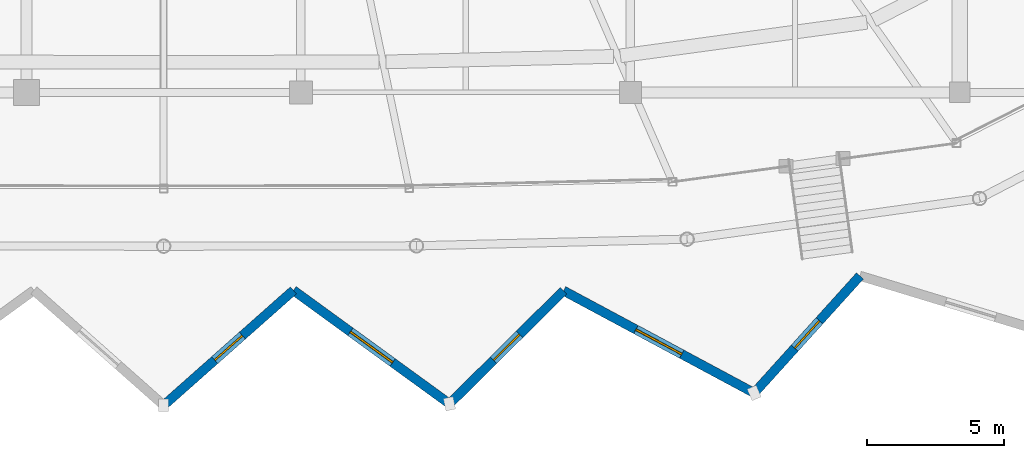
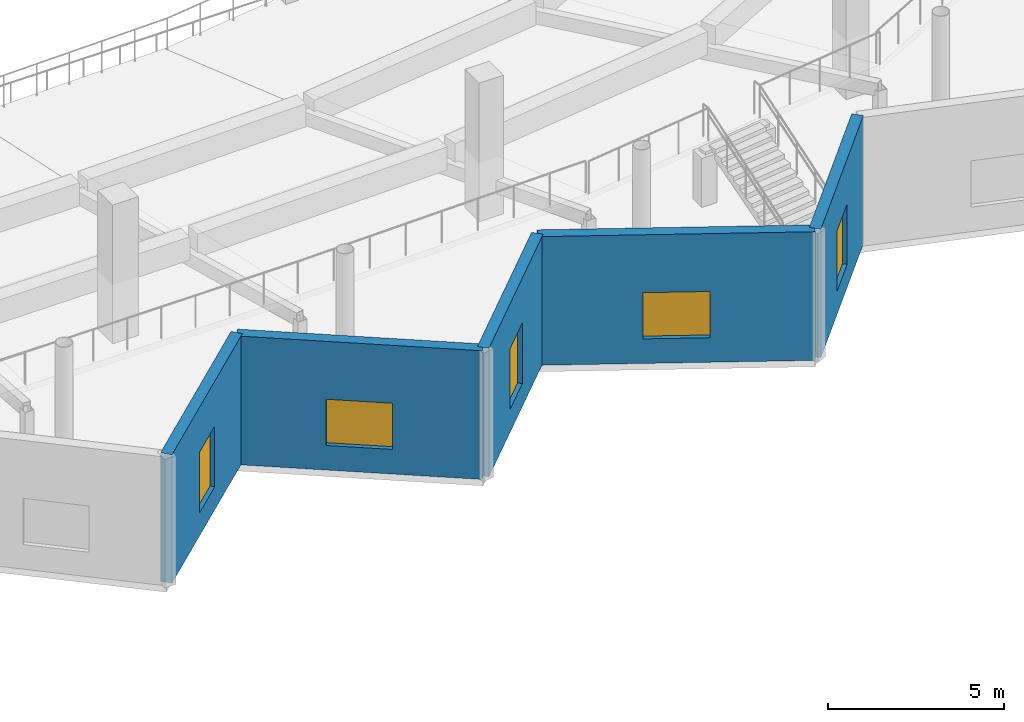
# One storey, part 53 of 77: 5 walls, 5 windows, 5 openings.
"""IFC4 building model written with IfcOpenShell, lengths in metres."""

from ifc_helpers import new_model, si_unit, direction, frame, frame_2d, origin, place, context, subcontext, project, spatial, rectangle, extrude, material, layer, layer_set, type_object, element, fill, save


model = new_model("IFC4")

# Units and contexts
model_context = context("Model", 3, precision=1e-05, world=origin(), true_north=direction((0.0, 1.0)))
body_context = subcontext(model_context, "Body", "Model", "MODEL_VIEW")
ifc_project = project(units=[si_unit("LENGTHUNIT", "METRE"), si_unit("AREAUNIT", "SQUARE_METRE"), si_unit("VOLUMEUNIT", "CUBIC_METRE"), si_unit("PLANEANGLEUNIT", "RADIAN"), si_unit("MASSUNIT", "GRAM", prefix="KILO")], contexts=[model_context])

# Site, building, storey
site_placement = place(None, origin())
site = spatial("IfcSite", under=ifc_project, at=site_placement, CompositionType="ELEMENT")
building_placement = place(site_placement, origin())
building = spatial("IfcBuilding", under=site, at=building_placement, Name="Luwafu Chhajja Arena", CompositionType="ELEMENT")
storey_placement = place(building_placement, frame((0.0, 0.0, 14.699951171875)))
storey = spatial("IfcBuildingStorey", under=building, at=storey_placement, Name="L03", CompositionType="ELEMENT", Elevation=14.699951171875)

# Wall, opening, window
ifc_material_1 = material(Name="Precast concrete C40/50", Category="concrete")
ifc_layer = layer(ifc_material_1, 0.340087890625, Name="Precast concrete C40/50")
ifc_layer_set = layer_set([ifc_layer], Name="Precast concrete C40/50")
wall_type = type_object("IfcWallType", Name="Pleated Bowl V-Fold Wall 340", PredefinedType="USERDEFINED", material=ifc_layer_set)
wall_1_placement = place(storey_placement, frame((99.0, -0.39990234375, 0.0), z_axis=(0.0, 0.0, 1.0), x_axis=(0.74844895461, 0.663192402205, 0.0)))
wall_1 = element("IfcWall", 1, at=wall_1_placement, inside=storey, type_object=wall_type, Name="L03 Pleated Bowl V-Fold Wall 49", ObjectType="PLEATED FACADE WALL", PredefinedType="USERDEFINED", context=body_context, shape_type="SweptSolid", body=[
    extrude(rectangle(XDim=6.317138671875, YDim=0.340087890625, at=frame_2d((3.15869140625, 0.0))), origin(), (0.0, 0.0, 1.0), 4.455078125),
])
opening_1_placement = place(wall_1_placement, frame((2.483642578125, 0.0, 0.800048828125)))
opening_1 = element("IfcOpeningElement", 2, at=opening_1_placement, cuts=wall_1, Name="Opening WN-17", PredefinedType="OPENING", context=body_context, shape_type="SweptSolid", body=[
    extrude(rectangle(XDim=1.35009765625, YDim=2.10009765625, at=frame_2d((0.675048828125, 1.050048828125))), frame((0.0, 0.179931640625, 0.0), z_axis=(0.0, -1.0, 0.0), x_axis=(1.0, 0.0, 0.0)), (0.0, 0.0, 1.0), 0.360107421875),
])
ifc_material_2 = material(Name="Solar-control laminated glass", Category="glass")
window_type_1 = type_object("IfcWindowType", Name="Exhibition Mezzanine Lancet Window 1350x2100", PartitioningType="SINGLE_PANEL", PredefinedType="WINDOW", material=ifc_material_2)
window_1_placement = place(opening_1_placement, origin())
window_1 = element("IfcWindow", 3, at=window_1_placement, inside=storey, type_object=window_type_1, Name="L03 Pleated Bowl Lancet Window 067", OverallHeight=2.10009765625, OverallWidth=1.35009765625, PartitioningType="SINGLE_PANEL", PredefinedType="WINDOW", context=body_context, shape_type="SweptSolid", body=[
    extrude(rectangle(XDim=1.35009765625, YDim=2.10009765625, at=frame_2d((0.675048828125, 1.050048828125))), frame((0.0, 0.030029296875, 0.0), z_axis=(0.0, -1.0, 0.0), x_axis=(1.0, 0.0, 0.0)), (0.0, 0.0, 1.0), 0.06005859375),
])
fill(opening_1, window_1)

wall_2_placement = place(storey_placement, frame((103.72802734375, 3.78955078125, 0.0), z_axis=(0.0, 0.0, 1.0), x_axis=(0.808841233488, -0.588027090371, 0.0)))
wall_2 = element("IfcWall", 4, at=wall_2_placement, inside=storey, type_object=wall_type, Name="L03 Pleated Bowl V-Fold Wall 50", ObjectType="PLEATED FACADE WALL", PredefinedType="USERDEFINED", context=body_context, shape_type="SweptSolid", body=[
    extrude(rectangle(XDim=7.02734375, YDim=0.340087890625, at=frame_2d((3.513671875, 0.0))), origin(), (0.0, 0.0, 1.0), 4.455078125),
])
opening_2_placement = place(wall_2_placement, frame((2.563720703125, 0.0, 0.85009765625)))
opening_2 = element("IfcOpeningElement", 5, at=opening_2_placement, cuts=wall_2, Name="Opening WN-15", PredefinedType="OPENING", context=body_context, shape_type="SweptSolid", body=[
    extrude(rectangle(XDim=1.89990234375, YDim=1.60009765625, at=frame_2d((0.949951171875, 0.800048828125))), frame((0.0, 0.179931640625, 0.0), z_axis=(0.0, -1.0, 0.0), x_axis=(1.0, 0.0, 0.0)), (0.0, 0.0, 1.0), 0.360107421875),
])
window_type_2 = type_object("IfcWindowType", Name="Pleated Drum Inward-Fold Clerestory 1900x1600", PartitioningType="SINGLE_PANEL", PredefinedType="WINDOW", material=ifc_material_2)
window_2_placement = place(opening_2_placement, origin())
window_2 = element("IfcWindow", 6, at=window_2_placement, inside=storey, type_object=window_type_2, Name="L03 Pleated Bowl Lancet Window 068", OverallHeight=1.60009765625, OverallWidth=1.89990234375, PartitioningType="SINGLE_PANEL", PredefinedType="WINDOW", context=body_context, shape_type="SweptSolid", body=[
    extrude(rectangle(XDim=1.89990234375, YDim=1.60009765625, at=frame_2d((0.949951171875, 0.800048828125))), frame((0.0, 0.030029296875, 0.0), z_axis=(0.0, -1.0, 0.0), x_axis=(1.0, 0.0, 0.0)), (0.0, 0.0, 1.0), 0.06005859375),
])
fill(opening_2, window_2)

wall_3_placement = place(storey_placement, frame((109.412109375, -0.3427734375, 0.0), z_axis=(0.0, 0.0, 1.0), x_axis=(0.710084208502, 0.704116763638, 0.0)))
wall_3 = element("IfcWall", 7, at=wall_3_placement, inside=storey, type_object=wall_type, Name="L03 Pleated Bowl V-Fold Wall 51", ObjectType="PLEATED FACADE WALL", PredefinedType="USERDEFINED", context=body_context, shape_type="SweptSolid", body=[
    extrude(rectangle(XDim=5.850341796875, YDim=0.340087890625, at=frame_2d((2.92529296875, 0.0))), origin(), (0.0, 0.0, 1.0), 4.455078125),
])
opening_3_placement = place(wall_3_placement, frame((2.250244140625, 0.0, 0.800048828125)))
opening_3 = element("IfcOpeningElement", 8, at=opening_3_placement, cuts=wall_3, Name="Opening WN-17", PredefinedType="OPENING", context=body_context, shape_type="SweptSolid", body=[
    extrude(rectangle(XDim=1.35009765625, YDim=2.10009765625, at=frame_2d((0.675048828125, 1.050048828125))), frame((0.0, 0.179931640625, 0.0), z_axis=(0.0, -1.0, 0.0), x_axis=(1.0, 0.0, 0.0)), (0.0, 0.0, 1.0), 0.360107421875),
])
window_3_placement = place(opening_3_placement, origin())
window_3 = element("IfcWindow", 9, at=window_3_placement, inside=storey, type_object=window_type_1, Name="L03 Pleated Bowl Lancet Window 069", OverallHeight=2.10009765625, OverallWidth=1.35009765625, PartitioningType="SINGLE_PANEL", PredefinedType="WINDOW", context=body_context, shape_type="SweptSolid", body=[
    extrude(rectangle(XDim=1.35009765625, YDim=2.10009765625, at=frame_2d((0.675048828125, 1.050048828125))), frame((0.0, 0.030029296875, 0.0), z_axis=(0.0, -1.0, 0.0), x_axis=(1.0, 0.0, 0.0)), (0.0, 0.0, 1.0), 0.06005859375),
])
fill(opening_3, window_3)

wall_4_placement = place(storey_placement, frame((113.56640625, 3.776611328125, 0.0), z_axis=(0.0, 0.0, 1.0), x_axis=(0.881201188687, -0.472741435731, 0.0)))
wall_4 = element("IfcWall", 10, at=wall_4_placement, inside=storey, type_object=wall_type, Name="L03 Pleated Bowl V-Fold Wall 52", ObjectType="PLEATED FACADE WALL", PredefinedType="USERDEFINED", context=body_context, shape_type="SweptSolid", body=[
    extrude(rectangle(XDim=7.880859375, YDim=0.340087890625, at=frame_2d((3.9404296875, 0.0))), origin(), (0.0, 0.0, 1.0), 4.455078125),
])
opening_4_placement = place(wall_4_placement, frame((2.990234375, 0.0, 0.85009765625)))
opening_4 = element("IfcOpeningElement", 11, at=opening_4_placement, cuts=wall_4, Name="Opening WN-15", PredefinedType="OPENING", context=body_context, shape_type="SweptSolid", body=[
    extrude(rectangle(XDim=1.89990234375, YDim=1.60009765625, at=frame_2d((0.949951171875, 0.800048828125))), frame((0.0, 0.179931640625, 0.0), z_axis=(0.0, -1.0, 0.0), x_axis=(1.0, 0.0, 0.0)), (0.0, 0.0, 1.0), 0.360107421875),
])
window_4_placement = place(opening_4_placement, origin())
window_4 = element("IfcWindow", 12, at=window_4_placement, inside=storey, type_object=window_type_2, Name="L03 Pleated Bowl Lancet Window 070", OverallHeight=1.60009765625, OverallWidth=1.89990234375, PartitioningType="SINGLE_PANEL", PredefinedType="WINDOW", context=body_context, shape_type="SweptSolid", body=[
    extrude(rectangle(XDim=1.89990234375, YDim=1.60009765625, at=frame_2d((0.949951171875, 0.800048828125))), frame((0.0, 0.030029296875, 0.0), z_axis=(0.0, -1.0, 0.0), x_axis=(1.0, 0.0, 0.0)), (0.0, 0.0, 1.0), 0.06005859375),
])
fill(opening_4, window_4)

wall_5_placement = place(storey_placement, frame((120.510986328125, 0.051025390625, 0.0), z_axis=(0.0, 0.0, 1.0), x_axis=(0.670348131104, 0.742046752654, 0.0)))
wall_5 = element("IfcWall", 13, at=wall_5_placement, inside=storey, type_object=wall_type, Name="L03 Pleated Bowl V-Fold Wall 53", ObjectType="PLEATED FACADE WALL", PredefinedType="USERDEFINED", context=body_context, shape_type="SweptSolid", body=[
    extrude(rectangle(XDim=5.747802734375, YDim=0.340087890625, at=frame_2d((2.8740234375, 0.0))), origin(), (0.0, 0.0, 1.0), 4.455078125),
])
opening_5_placement = place(wall_5_placement, frame((2.198974609375, 0.0, 0.800048828125)))
opening_5 = element("IfcOpeningElement", 14, at=opening_5_placement, cuts=wall_5, Name="Opening WN-17", PredefinedType="OPENING", context=body_context, shape_type="SweptSolid", body=[
    extrude(rectangle(XDim=1.35009765625, YDim=2.10009765625, at=frame_2d((0.675048828125, 1.050048828125))), frame((0.0, 0.179931640625, 0.0), z_axis=(0.0, -1.0, 0.0), x_axis=(1.0, 0.0, 0.0)), (0.0, 0.0, 1.0), 0.360107421875),
])
window_5_placement = place(opening_5_placement, origin())
window_5 = element("IfcWindow", 15, at=window_5_placement, inside=storey, type_object=window_type_1, Name="L03 Pleated Bowl Lancet Window 071", OverallHeight=2.10009765625, OverallWidth=1.35009765625, PartitioningType="SINGLE_PANEL", PredefinedType="WINDOW", context=body_context, shape_type="SweptSolid", body=[
    extrude(rectangle(XDim=1.35009765625, YDim=2.10009765625, at=frame_2d((0.675048828125, 1.050048828125))), frame((0.0, 0.030029296875, 0.0), z_axis=(0.0, -1.0, 0.0), x_axis=(1.0, 0.0, 0.0)), (0.0, 0.0, 1.0), 0.06005859375),
])
fill(opening_5, window_5)

save(model, "model.ifc")
